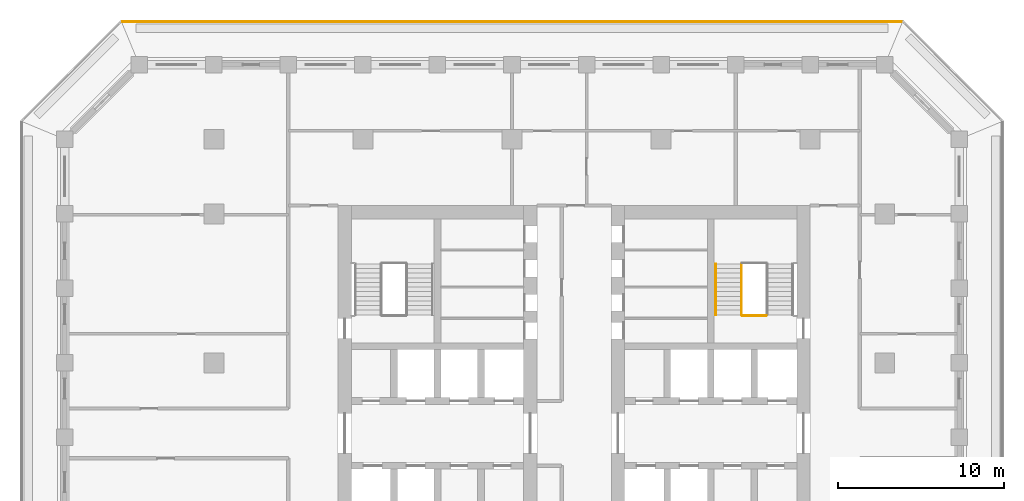
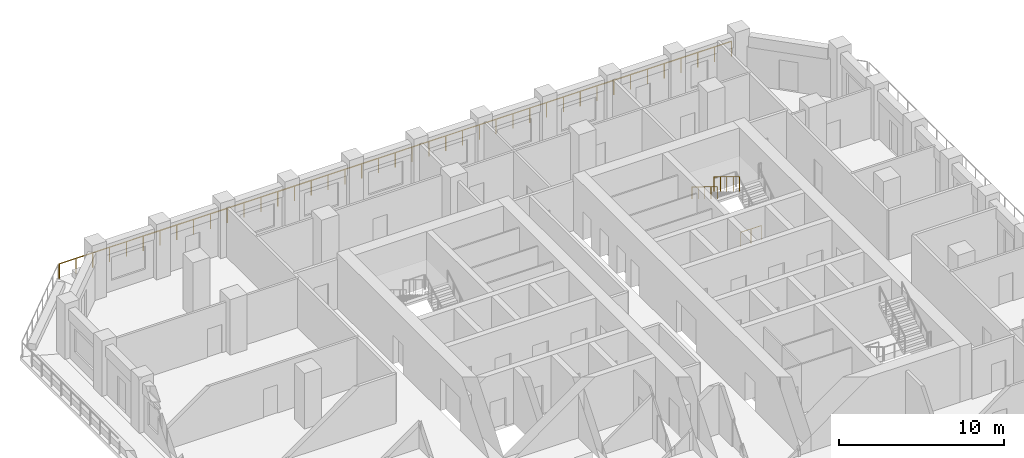
# One storey, part 14 of 16: 4 railings.
"""IFC4 building model written with IfcOpenShell, lengths in metres."""

from ifc_helpers import new_model, si_unit, direction, frame, origin, origin_2d, place, context, subcontext, project, spatial, circle, extrude, material, type_object, element, save


model = new_model("IFC4")

# Units and contexts
model_context = context("Model", 3, precision=1e-05, world=origin(), true_north=direction((0.0, 1.0)))
body_context = subcontext(model_context, "Body", "Model", "MODEL_VIEW")
ifc_project = project(units=[si_unit("LENGTHUNIT", "METRE"), si_unit("AREAUNIT", "SQUARE_METRE"), si_unit("VOLUMEUNIT", "CUBIC_METRE"), si_unit("PLANEANGLEUNIT", "RADIAN"), si_unit("MASSUNIT", "GRAM", prefix="KILO")], contexts=[model_context])

# Site, building, storey
site_placement = place(None, origin())
site = spatial("IfcSite", under=ifc_project, at=site_placement, CompositionType="ELEMENT")
building_placement = place(site_placement, origin())
building = spatial("IfcBuilding", under=site, at=building_placement, Name="Corbel Stack Research Tower", CompositionType="ELEMENT")
storey_placement = place(building_placement, frame((0.0, 0.0, 160.89990234375)))
storey = spatial("IfcBuildingStorey", under=building, at=storey_placement, Name="L36", CompositionType="ELEMENT", Elevation=160.89990234375)

# Railings
ifc_material_1 = material(Name="Steel S355", Category="steel")
railing_type_1 = type_object("IfcRailingType", Name="Stair guard 1100", PredefinedType="GUARDRAIL", material=ifc_material_1)
railing_1_placement = place(storey_placement, frame((13.85009765625, 14.97998046875, 2.220947265625)))
element("IfcRailing", 1, at=railing_1_placement, inside=storey, type_object=railing_type_1, Name="L36 ST-E2 stair guard 4", PredefinedType="GUARDRAIL", context=body_context, shape_type="SweptSolid", body=[
    extrude(circle(Radius=0.02392578125, at=origin_2d()), frame((0.0, 0.0, 1.076171875), z_axis=(0.0, -0.853666305674, 0.52082035152), x_axis=(1.0, 0.0, 0.0)), (0.0, 0.0, 1.0), 3.608154296875),
    extrude(circle(Radius=0.02099609375, at=origin_2d()), origin(), (0.0, 0.0, 1.0), 1.052001953125),
    extrude(circle(Radius=0.02099609375, at=origin_2d()), frame((0.0, -0.77001953125, 0.4697265625)), (0.0, 0.0, 1.0), 1.052001953125),
    extrude(circle(Radius=0.02099609375, at=origin_2d()), frame((0.0, -1.5400390625, 0.939453125)), (0.0, 0.0, 1.0), 1.052001953125),
    extrude(circle(Radius=0.02099609375, at=origin_2d()), frame((0.0, -2.31005859375, 1.409423828125)), (0.0, 0.0, 1.0), 1.052001953125),
    extrude(circle(Radius=0.02099609375, at=origin_2d()), frame((0.0, -3.080078125, 1.879150390625)), (0.0, 0.0, 1.0), 1.052001953125),
])
railing_2_placement = place(storey_placement, frame((15.35009765625, 11.85009765625, 0.0)))
element("IfcRailing", 2, at=railing_2_placement, inside=storey, type_object=railing_type_1, Name="L36 ST-E2 stair guard 5", PredefinedType="GUARDRAIL", context=body_context, shape_type="SweptSolid", body=[
    extrude(circle(Radius=0.02392578125, at=origin_2d()), frame((0.0, 0.0, 1.076171875), z_axis=(-1.0, 0.0, 0.0), x_axis=(0.0, -1.0, 0.0)), (0.0, 0.0, 1.0), 1.4501953125),
    extrude(circle(Radius=0.02099609375, at=origin_2d()), origin(), (0.0, 0.0, 1.0), 1.052001953125),
    extrude(circle(Radius=0.02099609375, at=origin_2d()), frame((-0.72509765625, 0.0, 0.0)), (0.0, 0.0, 1.0), 1.052001953125),
    extrude(circle(Radius=0.02099609375, at=origin_2d()), frame((-1.4501953125, 0.0, 0.0)), (0.0, 0.0, 1.0), 1.052001953125),
])
ifc_material_2 = material(Name="Steel S355", Category="steel")
railing_type_2 = type_object("IfcRailingType", Name="Stair handrail 900", PredefinedType="HANDRAIL", material=ifc_material_2)
railing_3_placement = place(storey_placement, frame((12.300048828125, 14.97998046875, 2.220947265625)))
element("IfcRailing", 3, at=railing_3_placement, inside=storey, type_object=railing_type_2, Name="L36 ST-E2 stair handrail 2", PredefinedType="HANDRAIL", context=body_context, shape_type="SweptSolid", body=[
    extrude(circle(Radius=0.02392578125, at=origin_2d()), frame((0.0, 0.0, 0.8759765625), z_axis=(0.0, -0.853666305674, 0.52082035152), x_axis=(1.0, 0.0, 0.0)), (0.0, 0.0, 1.0), 3.608154296875),
    extrude(circle(Radius=0.02099609375, at=origin_2d()), origin(), (0.0, 0.0, 1.0), 0.851806640625),
    extrude(circle(Radius=0.02099609375, at=origin_2d()), frame((0.0, -0.77001953125, 0.4697265625)), (0.0, 0.0, 1.0), 0.851806640625),
    extrude(circle(Radius=0.02099609375, at=origin_2d()), frame((0.0, -1.5400390625, 0.939453125)), (0.0, 0.0, 1.0), 0.851806640625),
    extrude(circle(Radius=0.02099609375, at=origin_2d()), frame((0.0, -2.31005859375, 1.409423828125)), (0.0, 0.0, 1.0), 0.851806640625),
    extrude(circle(Radius=0.02099609375, at=origin_2d()), frame((0.0, -3.080078125, 1.879150390625)), (0.0, 0.0, 1.0), 0.851806640625),
])
ifc_material_3 = material(Name="Powder-coated steel guard", Category="steel")
railing_type_3 = type_object("IfcRailingType", Name="Steel and glass guard 1100", PredefinedType="GUARDRAIL", material=ifc_material_3)
railing_4_placement = place(storey_placement, frame((23.50537109375, 29.60009765625, 0.0)))
element("IfcRailing", 4, at=railing_4_placement, inside=storey, type_object=railing_type_3, Name="Loggia guard L36 N", PredefinedType="GUARDRAIL", context=body_context, shape_type="SweptSolid", body=[
    extrude(circle(Radius=0.02392578125, at=origin_2d()), frame((0.0, 0.0, 1.076171875), z_axis=(-1.0, 0.0, 0.0), x_axis=(0.0, -1.0, 0.0)), (0.0, 0.0, 1.0), 47.0107421875),
    extrude(circle(Radius=0.02099609375, at=origin_2d()), origin(), (0.0, 0.0, 1.0), 1.052001953125),
    extrude(circle(Radius=0.02099609375, at=origin_2d()), frame((-1.17529296875, 0.0, 0.0)), (0.0, 0.0, 1.0), 1.052001953125),
    extrude(circle(Radius=0.02099609375, at=origin_2d()), frame((-2.3505859375, 0.0, 0.0)), (0.0, 0.0, 1.0), 1.052001953125),
    extrude(circle(Radius=0.02099609375, at=origin_2d()), frame((-3.52587890625, 0.0, 0.0)), (0.0, 0.0, 1.0), 1.052001953125),
    extrude(circle(Radius=0.02099609375, at=origin_2d()), frame((-4.701171875, 0.0, 0.0)), (0.0, 0.0, 1.0), 1.052001953125),
    extrude(circle(Radius=0.02099609375, at=origin_2d()), frame((-5.87646484375, 0.0, 0.0)), (0.0, 0.0, 1.0), 1.052001953125),
    extrude(circle(Radius=0.02099609375, at=origin_2d()), frame((-7.051513671875, 0.0, 0.0)), (0.0, 0.0, 1.0), 1.052001953125),
    extrude(circle(Radius=0.02099609375, at=origin_2d()), frame((-8.226806640625, 0.0, 0.0)), (0.0, 0.0, 1.0), 1.052001953125),
    extrude(circle(Radius=0.02099609375, at=origin_2d()), frame((-9.402099609375, 0.0, 0.0)), (0.0, 0.0, 1.0), 1.052001953125),
    extrude(circle(Radius=0.02099609375, at=origin_2d()), frame((-10.577392578125, 0.0, 0.0)), (0.0, 0.0, 1.0), 1.052001953125),
    extrude(circle(Radius=0.02099609375, at=origin_2d()), frame((-11.752685546875, 0.0, 0.0)), (0.0, 0.0, 1.0), 1.052001953125),
    extrude(circle(Radius=0.02099609375, at=origin_2d()), frame((-12.927978515625, 0.0, 0.0)), (0.0, 0.0, 1.0), 1.052001953125),
    extrude(circle(Radius=0.02099609375, at=origin_2d()), frame((-14.103271484375, 0.0, 0.0)), (0.0, 0.0, 1.0), 1.052001953125),
    extrude(circle(Radius=0.02099609375, at=origin_2d()), frame((-15.278564453125, 0.0, 0.0)), (0.0, 0.0, 1.0), 1.052001953125),
    extrude(circle(Radius=0.02099609375, at=origin_2d()), frame((-16.453857421875, 0.0, 0.0)), (0.0, 0.0, 1.0), 1.052001953125),
    extrude(circle(Radius=0.02099609375, at=origin_2d()), frame((-17.62890625, 0.0, 0.0)), (0.0, 0.0, 1.0), 1.052001953125),
    extrude(circle(Radius=0.02099609375, at=origin_2d()), frame((-18.80419921875, 0.0, 0.0)), (0.0, 0.0, 1.0), 1.052001953125),
    extrude(circle(Radius=0.02099609375, at=origin_2d()), frame((-19.9794921875, 0.0, 0.0)), (0.0, 0.0, 1.0), 1.052001953125),
    extrude(circle(Radius=0.02099609375, at=origin_2d()), frame((-21.15478515625, 0.0, 0.0)), (0.0, 0.0, 1.0), 1.052001953125),
    extrude(circle(Radius=0.02099609375, at=origin_2d()), frame((-22.330078125, 0.0, 0.0)), (0.0, 0.0, 1.0), 1.052001953125),
    extrude(circle(Radius=0.02099609375, at=origin_2d()), frame((-23.50537109375, 0.0, 0.0)), (0.0, 0.0, 1.0), 1.052001953125),
    extrude(circle(Radius=0.02099609375, at=origin_2d()), frame((-24.6806640625, 0.0, 0.0)), (0.0, 0.0, 1.0), 1.052001953125),
    extrude(circle(Radius=0.02099609375, at=origin_2d()), frame((-25.85595703125, 0.0, 0.0)), (0.0, 0.0, 1.0), 1.052001953125),
    extrude(circle(Radius=0.02099609375, at=origin_2d()), frame((-27.03125, 0.0, 0.0)), (0.0, 0.0, 1.0), 1.052001953125),
    extrude(circle(Radius=0.02099609375, at=origin_2d()), frame((-28.20654296875, 0.0, 0.0)), (0.0, 0.0, 1.0), 1.052001953125),
    extrude(circle(Radius=0.02099609375, at=origin_2d()), frame((-29.3818359375, 0.0, 0.0)), (0.0, 0.0, 1.0), 1.052001953125),
    extrude(circle(Radius=0.02099609375, at=origin_2d()), frame((-30.556884765625, 0.0, 0.0)), (0.0, 0.0, 1.0), 1.052001953125),
    extrude(circle(Radius=0.02099609375, at=origin_2d()), frame((-31.732177734375, 0.0, 0.0)), (0.0, 0.0, 1.0), 1.052001953125),
    extrude(circle(Radius=0.02099609375, at=origin_2d()), frame((-32.907470703125, 0.0, 0.0)), (0.0, 0.0, 1.0), 1.052001953125),
    extrude(circle(Radius=0.02099609375, at=origin_2d()), frame((-34.082763671875, 0.0, 0.0)), (0.0, 0.0, 1.0), 1.052001953125),
    extrude(circle(Radius=0.02099609375, at=origin_2d()), frame((-35.258056640625, 0.0, 0.0)), (0.0, 0.0, 1.0), 1.052001953125),
    extrude(circle(Radius=0.02099609375, at=origin_2d()), frame((-36.433349609375, 0.0, 0.0)), (0.0, 0.0, 1.0), 1.052001953125),
    extrude(circle(Radius=0.02099609375, at=origin_2d()), frame((-37.608642578125, 0.0, 0.0)), (0.0, 0.0, 1.0), 1.052001953125),
    extrude(circle(Radius=0.02099609375, at=origin_2d()), frame((-38.783935546875, 0.0, 0.0)), (0.0, 0.0, 1.0), 1.052001953125),
    extrude(circle(Radius=0.02099609375, at=origin_2d()), frame((-39.959228515625, 0.0, 0.0)), (0.0, 0.0, 1.0), 1.052001953125),
    extrude(circle(Radius=0.02099609375, at=origin_2d()), frame((-41.13427734375, 0.0, 0.0)), (0.0, 0.0, 1.0), 1.052001953125),
    extrude(circle(Radius=0.02099609375, at=origin_2d()), frame((-42.3095703125, 0.0, 0.0)), (0.0, 0.0, 1.0), 1.052001953125),
    extrude(circle(Radius=0.02099609375, at=origin_2d()), frame((-43.48486328125, 0.0, 0.0)), (0.0, 0.0, 1.0), 1.052001953125),
    extrude(circle(Radius=0.02099609375, at=origin_2d()), frame((-44.66015625, 0.0, 0.0)), (0.0, 0.0, 1.0), 1.052001953125),
    extrude(circle(Radius=0.02099609375, at=origin_2d()), frame((-45.83544921875, 0.0, 0.0)), (0.0, 0.0, 1.0), 1.052001953125),
    extrude(circle(Radius=0.02099609375, at=origin_2d()), frame((-47.0107421875, 0.0, 0.0)), (0.0, 0.0, 1.0), 1.052001953125),
])

save(model, "model.ifc")
